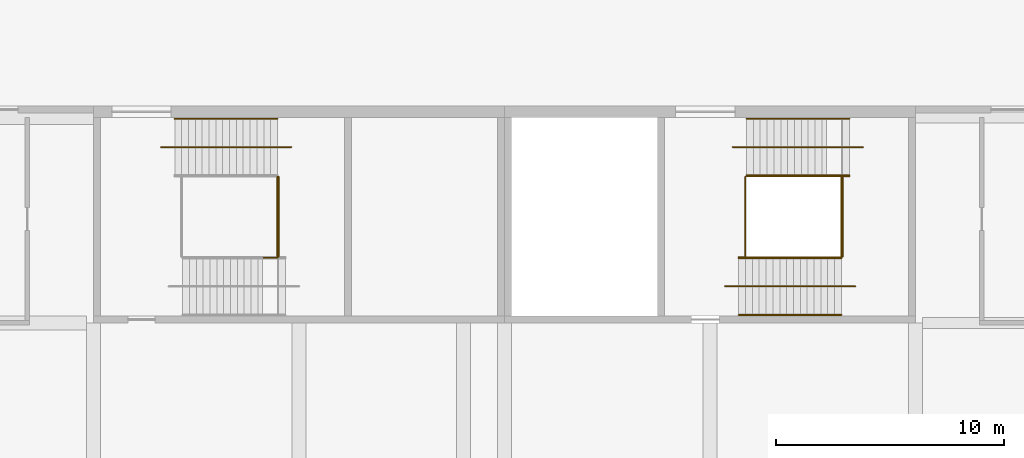
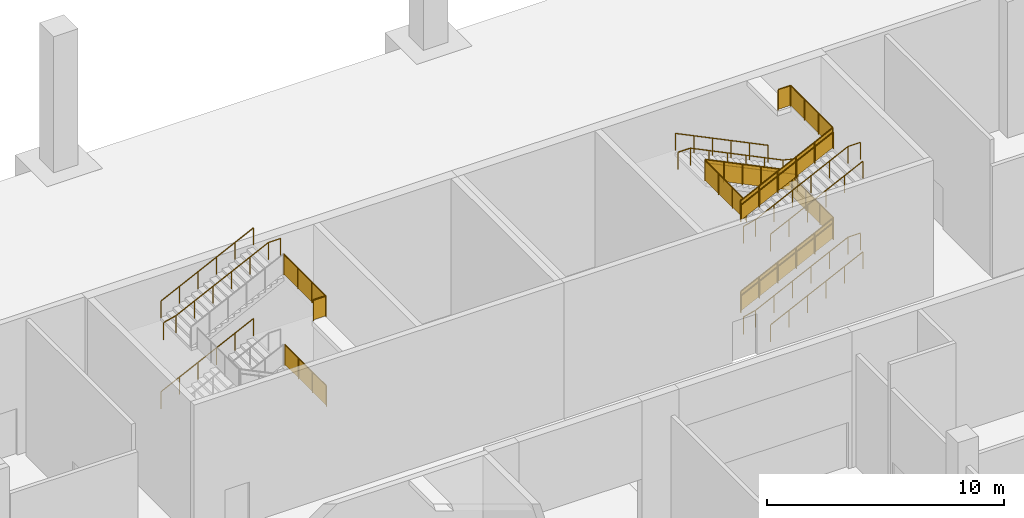
# One storey, part 87 of 92: 20 railings.
"""IFC4 building model written with IfcOpenShell, lengths in metres."""

from ifc_helpers import new_model, si_unit, direction, frame, origin, origin_2d, place, context, subcontext, project, spatial, polyline, circle, outline, extrude, material, type_object, element, save


model = new_model("IFC4")

# Units and contexts
model_context = context("Model", 3, precision=1e-05, world=origin(), true_north=direction((0.0, 1.0)))
body_context = subcontext(model_context, "Body", "Model", "MODEL_VIEW")
ifc_project = project(units=[si_unit("LENGTHUNIT", "METRE"), si_unit("AREAUNIT", "SQUARE_METRE"), si_unit("VOLUMEUNIT", "CUBIC_METRE"), si_unit("PLANEANGLEUNIT", "RADIAN"), si_unit("MASSUNIT", "GRAM", prefix="KILO")], contexts=[model_context])

# Site, building, storey
site_placement = place(None, origin())
site = spatial("IfcSite", under=ifc_project, at=site_placement, CompositionType="ELEMENT")
building_placement = place(site_placement, origin())
building = spatial("IfcBuilding", under=site, at=building_placement, Name="Silverbay Arena", CompositionType="ELEMENT")
storey_placement = place(building_placement, origin())
storey = spatial("IfcBuildingStorey", under=building, at=storey_placement, Name="L00", CompositionType="ELEMENT", Elevation=0.0)

# Railings
ifc_material_1 = material(Name="Stainless steel", Category="steel")
railing_type_1 = type_object("IfcRailingType", Name="Stair guard 1100", PredefinedType="GUARDRAIL", material=ifc_material_1)
railing_1_placement = place(storey_placement, frame((89.10693359375, 137.89990234375, 2.333251953125)))
element("IfcRailing", 1, at=railing_1_placement, inside=storey, type_object=railing_type_1, Name="Stair ST-N1 L00 to L01 landing 1 guard", PredefinedType="GUARDRAIL", context=body_context, shape_type="SweptSolid", body=[
    extrude(circle(Radius=0.02392578125, at=origin_2d()), frame((0.0, 0.0, 1.076171875), z_axis=(0.0, 1.0, 0.0), x_axis=(-1.0, 0.0, 0.0)), (0.0, 0.0, 1.0), 3.5),
    extrude(outline(polyline([(-0.008056640625, 0.050048828125), (1.174560546875, 0.050048828125), (1.174560546875, 1.052978515625), (-0.008056640625, 1.052978515625), (-0.008056640625, 0.050048828125)])), frame((-0.0029296875, 0.0, 0.0), z_axis=(1.0, 0.0, 0.0), x_axis=(0.0, 1.0, 0.0)), (0.0, 0.0, 1.0), 0.006103515625),
    extrude(outline(polyline([(-0.008056640625, 0.050048828125), (1.174560546875, 0.050048828125), (1.174560546875, 1.052978515625), (-0.008056640625, 1.052978515625), (-0.008056640625, 0.050048828125)])), frame((-0.0029296875, 1.166748046875, 0.0), z_axis=(1.0, 0.0, 0.0), x_axis=(0.0, 1.0, 0.0)), (0.0, 0.0, 1.0), 0.006103515625),
    extrude(outline(polyline([(-0.008056640625, 0.050048828125), (1.174560546875, 0.050048828125), (1.174560546875, 1.052978515625), (-0.008056640625, 1.052978515625), (-0.008056640625, 0.050048828125)])), frame((-0.0029296875, 2.333251953125, 0.0), z_axis=(1.0, 0.0, 0.0), x_axis=(0.0, 1.0, 0.0)), (0.0, 0.0, 1.0), 0.006103515625),
    extrude(circle(Radius=0.02099609375, at=origin_2d()), origin(), (0.0, 0.0, 1.0), 1.052001953125),
    extrude(circle(Radius=0.02099609375, at=origin_2d()), frame((0.0, 1.166748046875, 0.0)), (0.0, 0.0, 1.0), 1.052001953125),
    extrude(circle(Radius=0.02099609375, at=origin_2d()), frame((0.0, 2.333251953125, 0.0)), (0.0, 0.0, 1.0), 1.052001953125),
    extrude(circle(Radius=0.02099609375, at=origin_2d()), frame((0.0, 3.5, 0.0)), (0.0, 0.0, 1.0), 1.052001953125),
])
railing_2_placement = place(storey_placement, frame((88.449951171875, 137.85009765625, 7.0)))
element("IfcRailing", 2, at=railing_2_placement, inside=storey, type_object=railing_type_1, Name="Stair ST-N1 L00 to L01 landing 3 guard", PredefinedType="GUARDRAIL", context=body_context, shape_type="SweptSolid", body=[
    extrude(circle(Radius=0.02392578125, at=origin_2d()), frame((0.0, 0.0, 1.076171875), z_axis=(1.0, 0.0, 0.0), x_axis=(0.0, 1.0, 0.0)), (0.0, 0.0, 1.0), 0.60693359375),
    extrude(outline(polyline([(-0.008056640625, 0.050048828125), (0.614990234375, 0.050048828125), (0.614990234375, 1.052978515625), (-0.008056640625, 1.052978515625), (-0.008056640625, 0.050048828125)])), frame((0.0, 0.0029296875, 0.0), z_axis=(0.0, -1.0, 0.0), x_axis=(1.0, 0.0, 0.0)), (0.0, 0.0, 1.0), 0.006103515625),
    extrude(circle(Radius=0.02392578125, at=origin_2d()), frame((0.60693359375, 0.0, 1.076171875), z_axis=(0.0, 1.0, 0.0), x_axis=(-1.0, 0.0, 0.0)), (0.0, 0.0, 1.0), 3.5498046875),
    extrude(outline(polyline([(-0.008056640625, 0.050048828125), (1.191162109375, 0.050048828125), (1.191162109375, 1.052978515625), (-0.008056640625, 1.052978515625), (-0.008056640625, 0.050048828125)])), frame((0.60400390625, 0.0, 0.0), z_axis=(1.0, 0.0, 0.0), x_axis=(0.0, 1.0, 0.0)), (0.0, 0.0, 1.0), 0.006103515625),
    extrude(outline(polyline([(-0.008056640625, 0.050048828125), (1.191162109375, 0.050048828125), (1.191162109375, 1.052978515625), (-0.008056640625, 1.052978515625), (-0.008056640625, 0.050048828125)])), frame((0.60400390625, 1.183349609375, 0.0), z_axis=(1.0, 0.0, 0.0), x_axis=(0.0, 1.0, 0.0)), (0.0, 0.0, 1.0), 0.006103515625),
    extrude(outline(polyline([(-0.008056640625, 0.050048828125), (1.191162109375, 0.050048828125), (1.191162109375, 1.052978515625), (-0.008056640625, 1.052978515625), (-0.008056640625, 0.050048828125)])), frame((0.60400390625, 2.366455078125, 0.0), z_axis=(1.0, 0.0, 0.0), x_axis=(0.0, 1.0, 0.0)), (0.0, 0.0, 1.0), 0.006103515625),
    extrude(circle(Radius=0.02099609375, at=origin_2d()), origin(), (0.0, 0.0, 1.0), 1.052001953125),
    extrude(circle(Radius=0.02099609375, at=origin_2d()), frame((0.60693359375, 0.0, 0.0)), (0.0, 0.0, 1.0), 1.052001953125),
    extrude(circle(Radius=0.02099609375, at=origin_2d()), frame((0.60693359375, 1.183349609375, 0.0)), (0.0, 0.0, 1.0), 1.052001953125),
    extrude(circle(Radius=0.02099609375, at=origin_2d()), frame((0.60693359375, 2.366455078125, 0.0)), (0.0, 0.0, 1.0), 1.052001953125),
    extrude(circle(Radius=0.02099609375, at=origin_2d()), frame((0.60693359375, 3.5498046875, 0.0)), (0.0, 0.0, 1.0), 1.052001953125),
])
railing_3_placement = place(storey_placement, frame((109.2568359375, 137.875, 0.145751953125)))
element("IfcRailing", 3, at=railing_3_placement, inside=storey, type_object=railing_type_1, Name="Stair ST-N2 L00 to L01 flight 1 guard right", PredefinedType="GUARDRAIL", context=body_context, shape_type="SweptSolid", body=[
    extrude(circle(Radius=0.02392578125, at=origin_2d()), frame((0.0, 0.0, 1.076171875), z_axis=(0.899367854138, 0.0, 0.437192706873), x_axis=(0.0, 1.0, 0.0)), (0.0, 0.0, 1.0), 5.00341796875),
    extrude(outline(polyline([(-0.008056640625, 0.046142578125), (0.907958984375, 0.491455078125), (0.907958984375, 1.494384765625), (-0.008056640625, 1.049072265625), (-0.008056640625, 0.046142578125)])), frame((0.0, 0.0029296875, 0.0), z_axis=(0.0, -1.0, 0.0), x_axis=(1.0, 0.0, 0.0)), (0.0, 0.0, 1.0), 0.006103515625),
    extrude(outline(polyline([(-0.008056640625, 0.483642578125), (0.907958984375, 0.928955078125), (0.907958984375, 1.931884765625), (-0.008056640625, 1.486572265625), (-0.008056640625, 0.483642578125)])), frame((0.89990234375, 0.0029296875, 0.0), z_axis=(0.0, -1.0, 0.0), x_axis=(1.0, 0.0, 0.0)), (0.0, 0.0, 1.0), 0.006103515625),
    extrude(outline(polyline([(-0.008056640625, 0.921142578125), (0.907958984375, 1.366455078125), (0.907958984375, 2.369384765625), (-0.008056640625, 1.924072265625), (-0.008056640625, 0.921142578125)])), frame((1.800048828125, 0.0029296875, 0.0), z_axis=(0.0, -1.0, 0.0), x_axis=(1.0, 0.0, 0.0)), (0.0, 0.0, 1.0), 0.006103515625),
    extrude(outline(polyline([(-0.008056640625, 1.358642578125), (0.907958984375, 1.803955078125), (0.907958984375, 2.806884765625), (-0.008056640625, 2.361572265625), (-0.008056640625, 1.358642578125)])), frame((2.699951171875, 0.0029296875, 0.0), z_axis=(0.0, -1.0, 0.0), x_axis=(1.0, 0.0, 0.0)), (0.0, 0.0, 1.0), 0.006103515625),
    extrude(outline(polyline([(-0.008056640625, 1.796142578125), (0.907958984375, 2.241455078125), (0.907958984375, 3.244384765625), (-0.008056640625, 2.799072265625), (-0.008056640625, 1.796142578125)])), frame((3.60009765625, 0.0029296875, 0.0), z_axis=(0.0, -1.0, 0.0), x_axis=(1.0, 0.0, 0.0)), (0.0, 0.0, 1.0), 0.006103515625),
    extrude(circle(Radius=0.02099609375, at=origin_2d()), origin(), (0.0, 0.0, 1.0), 1.052001953125),
    extrude(circle(Radius=0.02099609375, at=origin_2d()), frame((0.89990234375, 0.0, 0.4375)), (0.0, 0.0, 1.0), 1.052001953125),
    extrude(circle(Radius=0.02099609375, at=origin_2d()), frame((1.800048828125, 0.0, 0.875)), (0.0, 0.0, 1.0), 1.052001953125),
    extrude(circle(Radius=0.02099609375, at=origin_2d()), frame((2.699951171875, 0.0, 1.3125)), (0.0, 0.0, 1.0), 1.052001953125),
    extrude(circle(Radius=0.02099609375, at=origin_2d()), frame((3.60009765625, 0.0, 1.75)), (0.0, 0.0, 1.0), 1.052001953125),
    extrude(circle(Radius=0.02099609375, at=origin_2d()), frame((4.5, 0.0, 2.1875)), (0.0, 0.0, 1.0), 1.052001953125),
])
railing_4_placement = place(storey_placement, frame((114.10009765625, 141.425048828125, 2.479248046875)))
element("IfcRailing", 4, at=railing_4_placement, inside=storey, type_object=railing_type_1, Name="Stair ST-N2 L00 to L01 flight 2 guard left", PredefinedType="GUARDRAIL", context=body_context, shape_type="SweptSolid", body=[
    extrude(circle(Radius=0.02392578125, at=origin_2d()), frame((0.0, 0.0, 1.076171875), z_axis=(-0.899367854138, 0.0, 0.437192706873), x_axis=(0.0, -1.0, 0.0)), (0.0, 0.0, 1.0), 5.00341796875),
    extrude(outline(polyline([(-0.008056640625, 0.046142578125), (0.907958984375, 0.491455078125), (0.907958984375, 1.494384765625), (-0.008056640625, 1.049072265625), (-0.008056640625, 0.046142578125)])), frame((0.0, -0.0029296875, 0.0), z_axis=(0.0, 1.0, 0.0), x_axis=(-1.0, 0.0, 0.0)), (0.0, 0.0, 1.0), 0.006103515625),
    extrude(outline(polyline([(-0.008056640625, 0.483642578125), (0.907958984375, 0.928955078125), (0.907958984375, 1.931884765625), (-0.008056640625, 1.486572265625), (-0.008056640625, 0.483642578125)])), frame((-0.89990234375, -0.0029296875, 0.0), z_axis=(0.0, 1.0, 0.0), x_axis=(-1.0, 0.0, 0.0)), (0.0, 0.0, 1.0), 0.006103515625),
    extrude(outline(polyline([(-0.008056640625, 0.921142578125), (0.907958984375, 1.366455078125), (0.907958984375, 2.369384765625), (-0.008056640625, 1.924072265625), (-0.008056640625, 0.921142578125)])), frame((-1.800048828125, -0.0029296875, 0.0), z_axis=(0.0, 1.0, 0.0), x_axis=(-1.0, 0.0, 0.0)), (0.0, 0.0, 1.0), 0.006103515625),
    extrude(outline(polyline([(-0.008056640625, 1.358642578125), (0.907958984375, 1.803955078125), (0.907958984375, 2.806884765625), (-0.008056640625, 2.361572265625), (-0.008056640625, 1.358642578125)])), frame((-2.699951171875, -0.0029296875, 0.0), z_axis=(0.0, 1.0, 0.0), x_axis=(-1.0, 0.0, 0.0)), (0.0, 0.0, 1.0), 0.006103515625),
    extrude(outline(polyline([(-0.008056640625, 1.796142578125), (0.907958984375, 2.241455078125), (0.907958984375, 3.244384765625), (-0.008056640625, 2.799072265625), (-0.008056640625, 1.796142578125)])), frame((-3.60009765625, -0.0029296875, 0.0), z_axis=(0.0, 1.0, 0.0), x_axis=(-1.0, 0.0, 0.0)), (0.0, 0.0, 1.0), 0.006103515625),
    extrude(circle(Radius=0.02099609375, at=origin_2d()), origin(), (0.0, 0.0, 1.0), 1.052001953125),
    extrude(circle(Radius=0.02099609375, at=origin_2d()), frame((-0.89990234375, 0.0, 0.4375)), (0.0, 0.0, 1.0), 1.052001953125),
    extrude(circle(Radius=0.02099609375, at=origin_2d()), frame((-1.800048828125, 0.0, 0.875)), (0.0, 0.0, 1.0), 1.052001953125),
    extrude(circle(Radius=0.02099609375, at=origin_2d()), frame((-2.699951171875, 0.0, 1.3125)), (0.0, 0.0, 1.0), 1.052001953125),
    extrude(circle(Radius=0.02099609375, at=origin_2d()), frame((-3.60009765625, 0.0, 1.75)), (0.0, 0.0, 1.0), 1.052001953125),
    extrude(circle(Radius=0.02099609375, at=origin_2d()), frame((-4.5, 0.0, 2.1875)), (0.0, 0.0, 1.0), 1.052001953125),
])
railing_5_placement = place(storey_placement, frame((109.2568359375, 137.875, 4.8125)))
element("IfcRailing", 5, at=railing_5_placement, inside=storey, type_object=railing_type_1, Name="Stair ST-N2 L00 to L01 flight 3 guard right", PredefinedType="GUARDRAIL", context=body_context, shape_type="SweptSolid", body=[
    extrude(circle(Radius=0.02392578125, at=origin_2d()), frame((0.0, 0.0, 1.076171875), z_axis=(0.899367854138, 0.0, 0.437192706873), x_axis=(0.0, 1.0, 0.0)), (0.0, 0.0, 1.0), 5.00341796875),
    extrude(outline(polyline([(-0.008056640625, 0.046142578125), (0.907958984375, 0.491455078125), (0.907958984375, 1.494384765625), (-0.008056640625, 1.049072265625), (-0.008056640625, 0.046142578125)])), frame((0.0, 0.0029296875, 0.0), z_axis=(0.0, -1.0, 0.0), x_axis=(1.0, 0.0, 0.0)), (0.0, 0.0, 1.0), 0.006103515625),
    extrude(outline(polyline([(-0.008056640625, 0.483642578125), (0.907958984375, 0.928955078125), (0.907958984375, 1.931884765625), (-0.008056640625, 1.486572265625), (-0.008056640625, 0.483642578125)])), frame((0.89990234375, 0.0029296875, 0.0), z_axis=(0.0, -1.0, 0.0), x_axis=(1.0, 0.0, 0.0)), (0.0, 0.0, 1.0), 0.006103515625),
    extrude(outline(polyline([(-0.008056640625, 0.921142578125), (0.907958984375, 1.366455078125), (0.907958984375, 2.369384765625), (-0.008056640625, 1.924072265625), (-0.008056640625, 0.921142578125)])), frame((1.800048828125, 0.0029296875, 0.0), z_axis=(0.0, -1.0, 0.0), x_axis=(1.0, 0.0, 0.0)), (0.0, 0.0, 1.0), 0.006103515625),
    extrude(outline(polyline([(-0.008056640625, 1.358642578125), (0.907958984375, 1.803955078125), (0.907958984375, 2.806884765625), (-0.008056640625, 2.361572265625), (-0.008056640625, 1.358642578125)])), frame((2.699951171875, 0.0029296875, 0.0), z_axis=(0.0, -1.0, 0.0), x_axis=(1.0, 0.0, 0.0)), (0.0, 0.0, 1.0), 0.006103515625),
    extrude(outline(polyline([(-0.008056640625, 1.796142578125), (0.907958984375, 2.241455078125), (0.907958984375, 3.244384765625), (-0.008056640625, 2.799072265625), (-0.008056640625, 1.796142578125)])), frame((3.60009765625, 0.0029296875, 0.0), z_axis=(0.0, -1.0, 0.0), x_axis=(1.0, 0.0, 0.0)), (0.0, 0.0, 1.0), 0.006103515625),
    extrude(circle(Radius=0.02099609375, at=origin_2d()), origin(), (0.0, 0.0, 1.0), 1.052001953125),
    extrude(circle(Radius=0.02099609375, at=origin_2d()), frame((0.89990234375, 0.0, 0.4375)), (0.0, 0.0, 1.0), 1.052001953125),
    extrude(circle(Radius=0.02099609375, at=origin_2d()), frame((1.800048828125, 0.0, 0.875)), (0.0, 0.0, 1.0), 1.052001953125),
    extrude(circle(Radius=0.02099609375, at=origin_2d()), frame((2.699951171875, 0.0, 1.3125)), (0.0, 0.0, 1.0), 1.052001953125),
    extrude(circle(Radius=0.02099609375, at=origin_2d()), frame((3.60009765625, 0.0, 1.75)), (0.0, 0.0, 1.0), 1.052001953125),
    extrude(circle(Radius=0.02099609375, at=origin_2d()), frame((4.5, 0.0, 2.1875)), (0.0, 0.0, 1.0), 1.052001953125),
])
for number, where, name in (
    (6, (113.806884765625, 137.89990234375, 2.333251953125), "Stair ST-N2 L00 to L01 landing 1 guard"),
    (7, (109.550048828125, 137.89990234375, 4.666748046875), "Stair ST-N2 L00 to L01 landing 2 guard"),
):
    element("IfcRailing", number, at=place(storey_placement, frame(where)), inside=storey, type_object=railing_type_1, Name=name, PredefinedType="GUARDRAIL", context=body_context, shape_type="SweptSolid", body=[
        extrude(circle(Radius=0.02392578125, at=origin_2d()), frame((0.0, 0.0, 1.076171875), z_axis=(0.0, 1.0, 0.0), x_axis=(-1.0, 0.0, 0.0)), (0.0, 0.0, 1.0), 3.5),
        extrude(outline(polyline([(-0.008056640625, 0.050048828125), (1.174560546875, 0.050048828125), (1.174560546875, 1.052978515625), (-0.008056640625, 1.052978515625), (-0.008056640625, 0.050048828125)])), frame((-0.0029296875, 0.0, 0.0), z_axis=(1.0, 0.0, 0.0), x_axis=(0.0, 1.0, 0.0)), (0.0, 0.0, 1.0), 0.006103515625),
        extrude(outline(polyline([(-0.008056640625, 0.050048828125), (1.174560546875, 0.050048828125), (1.174560546875, 1.052978515625), (-0.008056640625, 1.052978515625), (-0.008056640625, 0.050048828125)])), frame((-0.0029296875, 1.166748046875, 0.0), z_axis=(1.0, 0.0, 0.0), x_axis=(0.0, 1.0, 0.0)), (0.0, 0.0, 1.0), 0.006103515625),
        extrude(outline(polyline([(-0.008056640625, 0.050048828125), (1.174560546875, 0.050048828125), (1.174560546875, 1.052978515625), (-0.008056640625, 1.052978515625), (-0.008056640625, 0.050048828125)])), frame((-0.0029296875, 2.333251953125, 0.0), z_axis=(1.0, 0.0, 0.0), x_axis=(0.0, 1.0, 0.0)), (0.0, 0.0, 1.0), 0.006103515625),
        extrude(circle(Radius=0.02099609375, at=origin_2d()), origin(), (0.0, 0.0, 1.0), 1.052001953125),
        extrude(circle(Radius=0.02099609375, at=origin_2d()), frame((0.0, 1.166748046875, 0.0)), (0.0, 0.0, 1.0), 1.052001953125),
        extrude(circle(Radius=0.02099609375, at=origin_2d()), frame((0.0, 2.333251953125, 0.0)), (0.0, 0.0, 1.0), 1.052001953125),
        extrude(circle(Radius=0.02099609375, at=origin_2d()), frame((0.0, 3.5, 0.0)), (0.0, 0.0, 1.0), 1.052001953125),
    ])
railing_6_placement = place(storey_placement, frame((113.14990234375, 141.449951171875, 7.0)))
element("IfcRailing", 8, at=railing_6_placement, inside=storey, type_object=railing_type_1, Name="Stair ST-N2 L00 to L01 landing 3 guard", PredefinedType="GUARDRAIL", context=body_context, shape_type="SweptSolid", body=[
    extrude(circle(Radius=0.02392578125, at=origin_2d()), frame((0.0, 0.0, 1.076171875), z_axis=(1.0, 0.0, 0.0), x_axis=(0.0, 1.0, 0.0)), (0.0, 0.0, 1.0), 0.60693359375),
    extrude(outline(polyline([(-0.008056640625, 0.050048828125), (0.614990234375, 0.050048828125), (0.614990234375, 1.052978515625), (-0.008056640625, 1.052978515625), (-0.008056640625, 0.050048828125)])), frame((0.0, 0.0029296875, 0.0), z_axis=(0.0, -1.0, 0.0), x_axis=(1.0, 0.0, 0.0)), (0.0, 0.0, 1.0), 0.006103515625),
    extrude(circle(Radius=0.02392578125, at=origin_2d()), frame((0.60693359375, 0.0, 1.076171875), z_axis=(0.0, -1.0, 0.0), x_axis=(1.0, 0.0, 0.0)), (0.0, 0.0, 1.0), 3.550048828125),
    extrude(outline(polyline([(-0.008056640625, 0.050048828125), (1.19140625, 0.050048828125), (1.19140625, 1.052978515625), (-0.008056640625, 1.052978515625), (-0.008056640625, 0.050048828125)])), frame((0.60986328125, 0.0, 0.0), z_axis=(-1.0, 0.0, 0.0), x_axis=(0.0, -1.0, 0.0)), (0.0, 0.0, 1.0), 0.006103515625),
    extrude(outline(polyline([(-0.008056640625, 0.050048828125), (1.19140625, 0.050048828125), (1.19140625, 1.052978515625), (-0.008056640625, 1.052978515625), (-0.008056640625, 0.050048828125)])), frame((0.60986328125, -1.183349609375, 0.0), z_axis=(-1.0, 0.0, 0.0), x_axis=(0.0, -1.0, 0.0)), (0.0, 0.0, 1.0), 0.006103515625),
    extrude(outline(polyline([(-0.008056640625, 0.050048828125), (1.19140625, 0.050048828125), (1.19140625, 1.052978515625), (-0.008056640625, 1.052978515625), (-0.008056640625, 0.050048828125)])), frame((0.60986328125, -2.36669921875, 0.0), z_axis=(-1.0, 0.0, 0.0), x_axis=(0.0, -1.0, 0.0)), (0.0, 0.0, 1.0), 0.006103515625),
    extrude(circle(Radius=0.02099609375, at=origin_2d()), origin(), (0.0, 0.0, 1.0), 1.052001953125),
    extrude(circle(Radius=0.02099609375, at=origin_2d()), frame((0.60693359375, 0.0, 0.0)), (0.0, 0.0, 1.0), 1.052001953125),
    extrude(circle(Radius=0.02099609375, at=origin_2d()), frame((0.60693359375, -1.183349609375, 0.0)), (0.0, 0.0, 1.0), 1.052001953125),
    extrude(circle(Radius=0.02099609375, at=origin_2d()), frame((0.60693359375, -2.36669921875, 0.0)), (0.0, 0.0, 1.0), 1.052001953125),
    extrude(circle(Radius=0.02099609375, at=origin_2d()), frame((0.60693359375, -3.550048828125, 0.0)), (0.0, 0.0, 1.0), 1.052001953125),
])
ifc_material_2 = material(Name="Stainless steel", Category="steel")
railing_type_2 = type_object("IfcRailingType", Name="Stair handrail 900", PredefinedType="HANDRAIL", material=ifc_material_2)
for number, where, name in (
    (9, (84.556884765625, 143.949951171875, 0.145751953125), "Stair ST-N1 L00 to L01 flight 1 handrail right"),
    (10, (84.556884765625, 143.949951171875, 4.8125), "Stair ST-N1 L00 to L01 flight 3 handrail right"),
):
    element("IfcRailing", number, at=place(storey_placement, frame(where)), inside=storey, type_object=railing_type_2, Name=name, PredefinedType="HANDRAIL", context=body_context, shape_type="SweptSolid", body=[
        extrude(circle(Radius=0.02392578125, at=origin_2d()), frame((0.0, 0.0, 0.8759765625), z_axis=(0.899367854138, 0.0, 0.437192706873), x_axis=(0.0, 1.0, 0.0)), (0.0, 0.0, 1.0), 5.00341796875),
        extrude(circle(Radius=0.02099609375, at=origin_2d()), origin(), (0.0, 0.0, 1.0), 0.851806640625),
        extrude(circle(Radius=0.02099609375, at=origin_2d()), frame((0.89990234375, 0.0, 0.4375)), (0.0, 0.0, 1.0), 0.851806640625),
        extrude(circle(Radius=0.02099609375, at=origin_2d()), frame((1.800048828125, 0.0, 0.875)), (0.0, 0.0, 1.0), 0.851806640625),
        extrude(circle(Radius=0.02099609375, at=origin_2d()), frame((2.699951171875, 0.0, 1.3125)), (0.0, 0.0, 1.0), 0.851806640625),
        extrude(circle(Radius=0.02099609375, at=origin_2d()), frame((3.60009765625, 0.0, 1.75)), (0.0, 0.0, 1.0), 0.851806640625),
        extrude(circle(Radius=0.02099609375, at=origin_2d()), frame((4.5, 0.0, 2.1875)), (0.0, 0.0, 1.0), 0.851806640625),
    ])
railing_7_placement = place(storey_placement, frame((83.956787109375, 142.699951171875, 4.666748046875)))
element("IfcRailing", 11, at=railing_7_placement, inside=storey, type_object=railing_type_2, Name="Stair ST-N1 L00 to L01 flight 3 central handrail", PredefinedType="HANDRAIL", context=body_context, shape_type="SweptSolid", body=[
    extrude(circle(Radius=0.02392578125, at=origin_2d()), frame((0.0, 0.0, 0.8759765625), z_axis=(0.971748522905, 0.0, 0.236018660771), x_axis=(0.0, 1.0, 0.0)), (0.0, 0.0, 1.0), 0.617431640625),
    extrude(circle(Radius=0.02392578125, at=origin_2d()), frame((0.60009765625, 0.0, 1.021484375), z_axis=(0.899367854138, 0.0, 0.437192706873), x_axis=(0.0, 1.0, 0.0)), (0.0, 0.0, 1.0), 5.00341796875),
    extrude(circle(Radius=0.02392578125, at=origin_2d()), frame((5.10009765625, 0.0, 3.208984375), z_axis=(1.0, 0.0, 0.0), x_axis=(0.0, 1.0, 0.0)), (0.0, 0.0, 1.0), 0.60009765625),
    extrude(circle(Radius=0.02099609375, at=origin_2d()), origin(), (0.0, 0.0, 1.0), 0.851806640625),
    extrude(circle(Radius=0.02099609375, at=origin_2d()), frame((0.60009765625, 0.0, 0.145751953125)), (0.0, 0.0, 1.0), 0.851806640625),
    extrude(circle(Radius=0.02099609375, at=origin_2d()), frame((1.5, 0.0, 0.583251953125)), (0.0, 0.0, 1.0), 0.851806640625),
    extrude(circle(Radius=0.02099609375, at=origin_2d()), frame((2.400146484375, 0.0, 1.020751953125)), (0.0, 0.0, 1.0), 0.851806640625),
    extrude(circle(Radius=0.02099609375, at=origin_2d()), frame((3.300048828125, 0.0, 1.458251953125)), (0.0, 0.0, 1.0), 0.851806640625),
    extrude(circle(Radius=0.02099609375, at=origin_2d()), frame((4.2001953125, 0.0, 1.895751953125)), (0.0, 0.0, 1.0), 0.851806640625),
    extrude(circle(Radius=0.02099609375, at=origin_2d()), frame((5.10009765625, 0.0, 2.333251953125)), (0.0, 0.0, 1.0), 0.851806640625),
    extrude(circle(Radius=0.02099609375, at=origin_2d()), frame((5.7001953125, 0.0, 2.333251953125)), (0.0, 0.0, 1.0), 0.851806640625),
])
for number, where, name in (
    (12, (109.2568359375, 135.35009765625, 0.145751953125), "Stair ST-N2 L00 to L01 flight 1 handrail left"),
    (13, (109.2568359375, 137.8359375, 0.145751953125), "Stair ST-N2 L00 to L01 flight 1 handrail right"),
):
    element("IfcRailing", number, at=place(storey_placement, frame(where)), inside=storey, type_object=railing_type_2, Name=name, PredefinedType="HANDRAIL", context=body_context, shape_type="SweptSolid", body=[
        extrude(circle(Radius=0.02392578125, at=origin_2d()), frame((0.0, 0.0, 0.8759765625), z_axis=(0.899367854138, 0.0, 0.437192706873), x_axis=(0.0, 1.0, 0.0)), (0.0, 0.0, 1.0), 5.00341796875),
        extrude(circle(Radius=0.02099609375, at=origin_2d()), origin(), (0.0, 0.0, 1.0), 0.851806640625),
        extrude(circle(Radius=0.02099609375, at=origin_2d()), frame((0.89990234375, 0.0, 0.4375)), (0.0, 0.0, 1.0), 0.851806640625),
        extrude(circle(Radius=0.02099609375, at=origin_2d()), frame((1.800048828125, 0.0, 0.875)), (0.0, 0.0, 1.0), 0.851806640625),
        extrude(circle(Radius=0.02099609375, at=origin_2d()), frame((2.699951171875, 0.0, 1.3125)), (0.0, 0.0, 1.0), 0.851806640625),
        extrude(circle(Radius=0.02099609375, at=origin_2d()), frame((3.60009765625, 0.0, 1.75)), (0.0, 0.0, 1.0), 0.851806640625),
        extrude(circle(Radius=0.02099609375, at=origin_2d()), frame((4.5, 0.0, 2.1875)), (0.0, 0.0, 1.0), 0.851806640625),
    ])
railing_8_placement = place(storey_placement, frame((108.656982421875, 136.60009765625, 0.0)))
element("IfcRailing", 14, at=railing_8_placement, inside=storey, type_object=railing_type_2, Name="Stair ST-N2 L00 to L01 flight 1 central handrail", PredefinedType="HANDRAIL", context=body_context, shape_type="SweptSolid", body=[
    extrude(circle(Radius=0.02392578125, at=origin_2d()), frame((0.0, 0.0, 0.8759765625), z_axis=(0.971726487806, 0.0, 0.23610936639), x_axis=(0.0, 1.0, 0.0)), (0.0, 0.0, 1.0), 0.6171875),
    extrude(circle(Radius=0.02392578125, at=origin_2d()), frame((0.599853515625, 0.0, 1.021484375), z_axis=(0.899367854138, 0.0, 0.437192706873), x_axis=(0.0, 1.0, 0.0)), (0.0, 0.0, 1.0), 5.00341796875),
    extrude(circle(Radius=0.02392578125, at=origin_2d()), frame((5.099853515625, 0.0, 3.208984375), z_axis=(1.0, 0.0, 0.0), x_axis=(0.0, 1.0, 0.0)), (0.0, 0.0, 1.0), 0.60009765625),
    extrude(circle(Radius=0.02099609375, at=origin_2d()), origin(), (0.0, 0.0, 1.0), 0.851806640625),
    extrude(circle(Radius=0.02099609375, at=origin_2d()), frame((0.599853515625, 0.0, 0.145751953125)), (0.0, 0.0, 1.0), 0.851806640625),
    extrude(circle(Radius=0.02099609375, at=origin_2d()), frame((1.499755859375, 0.0, 0.583251953125)), (0.0, 0.0, 1.0), 0.851806640625),
    extrude(circle(Radius=0.02099609375, at=origin_2d()), frame((2.39990234375, 0.0, 1.020751953125)), (0.0, 0.0, 1.0), 0.851806640625),
    extrude(circle(Radius=0.02099609375, at=origin_2d()), frame((3.2998046875, 0.0, 1.458251953125)), (0.0, 0.0, 1.0), 0.851806640625),
    extrude(circle(Radius=0.02099609375, at=origin_2d()), frame((4.199951171875, 0.0, 1.895751953125)), (0.0, 0.0, 1.0), 0.851806640625),
    extrude(circle(Radius=0.02099609375, at=origin_2d()), frame((5.099853515625, 0.0, 2.333251953125)), (0.0, 0.0, 1.0), 0.851806640625),
    extrude(circle(Radius=0.02099609375, at=origin_2d()), frame((5.699951171875, 0.0, 2.333251953125)), (0.0, 0.0, 1.0), 0.851806640625),
])
for number, where, name in (
    (15, (114.10009765625, 141.464111328125, 2.479248046875), "Stair ST-N2 L00 to L01 flight 2 handrail left"),
    (16, (114.10009765625, 143.949951171875, 2.479248046875), "Stair ST-N2 L00 to L01 flight 2 handrail right"),
):
    element("IfcRailing", number, at=place(storey_placement, frame(where)), inside=storey, type_object=railing_type_2, Name=name, PredefinedType="HANDRAIL", context=body_context, shape_type="SweptSolid", body=[
        extrude(circle(Radius=0.02392578125, at=origin_2d()), frame((0.0, 0.0, 0.8759765625), z_axis=(-0.899367854138, 0.0, 0.437192706873), x_axis=(0.0, -1.0, 0.0)), (0.0, 0.0, 1.0), 5.00341796875),
        extrude(circle(Radius=0.02099609375, at=origin_2d()), origin(), (0.0, 0.0, 1.0), 0.851806640625),
        extrude(circle(Radius=0.02099609375, at=origin_2d()), frame((-0.89990234375, 0.0, 0.4375)), (0.0, 0.0, 1.0), 0.851806640625),
        extrude(circle(Radius=0.02099609375, at=origin_2d()), frame((-1.800048828125, 0.0, 0.875)), (0.0, 0.0, 1.0), 0.851806640625),
        extrude(circle(Radius=0.02099609375, at=origin_2d()), frame((-2.699951171875, 0.0, 1.3125)), (0.0, 0.0, 1.0), 0.851806640625),
        extrude(circle(Radius=0.02099609375, at=origin_2d()), frame((-3.60009765625, 0.0, 1.75)), (0.0, 0.0, 1.0), 0.851806640625),
        extrude(circle(Radius=0.02099609375, at=origin_2d()), frame((-4.5, 0.0, 2.1875)), (0.0, 0.0, 1.0), 0.851806640625),
    ])
railing_9_placement = place(storey_placement, frame((114.699951171875, 142.699951171875, 2.333251953125)))
element("IfcRailing", 17, at=railing_9_placement, inside=storey, type_object=railing_type_2, Name="Stair ST-N2 L00 to L01 flight 2 central handrail", PredefinedType="HANDRAIL", context=body_context, shape_type="SweptSolid", body=[
    extrude(circle(Radius=0.02392578125, at=origin_2d()), frame((0.0, 0.0, 0.8759765625), z_axis=(-0.971635685089, 0.0, 0.236482759334), x_axis=(0.0, -1.0, 0.0)), (0.0, 0.0, 1.0), 0.617431640625),
    extrude(circle(Radius=0.02392578125, at=origin_2d()), frame((-0.599853515625, 0.0, 1.02197265625), z_axis=(-0.899367854138, 0.0, 0.437192706873), x_axis=(0.0, -1.0, 0.0)), (0.0, 0.0, 1.0), 5.00341796875),
    extrude(circle(Radius=0.02392578125, at=origin_2d()), frame((-5.099853515625, 0.0, 3.20947265625), z_axis=(-1.0, 0.0, 0.0), x_axis=(0.0, -1.0, 0.0)), (0.0, 0.0, 1.0), 0.60009765625),
    extrude(circle(Radius=0.02099609375, at=origin_2d()), origin(), (0.0, 0.0, 1.0), 0.851806640625),
    extrude(circle(Radius=0.02099609375, at=origin_2d()), frame((-0.599853515625, 0.0, 0.14599609375)), (0.0, 0.0, 1.0), 0.851806640625),
    extrude(circle(Radius=0.02099609375, at=origin_2d()), frame((-1.499755859375, 0.0, 0.58349609375)), (0.0, 0.0, 1.0), 0.851806640625),
    extrude(circle(Radius=0.02099609375, at=origin_2d()), frame((-2.39990234375, 0.0, 1.02099609375)), (0.0, 0.0, 1.0), 0.851806640625),
    extrude(circle(Radius=0.02099609375, at=origin_2d()), frame((-3.2998046875, 0.0, 1.45849609375)), (0.0, 0.0, 1.0), 0.851806640625),
    extrude(circle(Radius=0.02099609375, at=origin_2d()), frame((-4.199951171875, 0.0, 1.89599609375)), (0.0, 0.0, 1.0), 0.851806640625),
    extrude(circle(Radius=0.02099609375, at=origin_2d()), frame((-5.099853515625, 0.0, 2.33349609375)), (0.0, 0.0, 1.0), 0.851806640625),
    extrude(circle(Radius=0.02099609375, at=origin_2d()), frame((-5.699951171875, 0.0, 2.33349609375)), (0.0, 0.0, 1.0), 0.851806640625),
])
for number, where, name in (
    (18, (109.2568359375, 135.35009765625, 4.8125), "Stair ST-N2 L00 to L01 flight 3 handrail left"),
    (19, (109.2568359375, 137.8359375, 4.8125), "Stair ST-N2 L00 to L01 flight 3 handrail right"),
):
    element("IfcRailing", number, at=place(storey_placement, frame(where)), inside=storey, type_object=railing_type_2, Name=name, PredefinedType="HANDRAIL", context=body_context, shape_type="SweptSolid", body=[
        extrude(circle(Radius=0.02392578125, at=origin_2d()), frame((0.0, 0.0, 0.8759765625), z_axis=(0.899367854138, 0.0, 0.437192706873), x_axis=(0.0, 1.0, 0.0)), (0.0, 0.0, 1.0), 5.00341796875),
        extrude(circle(Radius=0.02099609375, at=origin_2d()), origin(), (0.0, 0.0, 1.0), 0.851806640625),
        extrude(circle(Radius=0.02099609375, at=origin_2d()), frame((0.89990234375, 0.0, 0.4375)), (0.0, 0.0, 1.0), 0.851806640625),
        extrude(circle(Radius=0.02099609375, at=origin_2d()), frame((1.800048828125, 0.0, 0.875)), (0.0, 0.0, 1.0), 0.851806640625),
        extrude(circle(Radius=0.02099609375, at=origin_2d()), frame((2.699951171875, 0.0, 1.3125)), (0.0, 0.0, 1.0), 0.851806640625),
        extrude(circle(Radius=0.02099609375, at=origin_2d()), frame((3.60009765625, 0.0, 1.75)), (0.0, 0.0, 1.0), 0.851806640625),
        extrude(circle(Radius=0.02099609375, at=origin_2d()), frame((4.5, 0.0, 2.1875)), (0.0, 0.0, 1.0), 0.851806640625),
    ])
railing_10_placement = place(storey_placement, frame((108.656982421875, 136.60009765625, 4.666748046875)))
element("IfcRailing", 20, at=railing_10_placement, inside=storey, type_object=railing_type_2, Name="Stair ST-N2 L00 to L01 flight 3 central handrail", PredefinedType="HANDRAIL", context=body_context, shape_type="SweptSolid", body=[
    extrude(circle(Radius=0.02392578125, at=origin_2d()), frame((0.0, 0.0, 0.8759765625), z_axis=(0.971726487806, 0.0, 0.23610936639), x_axis=(0.0, 1.0, 0.0)), (0.0, 0.0, 1.0), 0.6171875),
    extrude(circle(Radius=0.02392578125, at=origin_2d()), frame((0.599853515625, 0.0, 1.021484375), z_axis=(0.899367854138, 0.0, 0.437192706873), x_axis=(0.0, 1.0, 0.0)), (0.0, 0.0, 1.0), 5.00341796875),
    extrude(circle(Radius=0.02392578125, at=origin_2d()), frame((5.099853515625, 0.0, 3.208984375), z_axis=(1.0, 0.0, 0.0), x_axis=(0.0, 1.0, 0.0)), (0.0, 0.0, 1.0), 0.60009765625),
    extrude(circle(Radius=0.02099609375, at=origin_2d()), origin(), (0.0, 0.0, 1.0), 0.851806640625),
    extrude(circle(Radius=0.02099609375, at=origin_2d()), frame((0.599853515625, 0.0, 0.145751953125)), (0.0, 0.0, 1.0), 0.851806640625),
    extrude(circle(Radius=0.02099609375, at=origin_2d()), frame((1.499755859375, 0.0, 0.583251953125)), (0.0, 0.0, 1.0), 0.851806640625),
    extrude(circle(Radius=0.02099609375, at=origin_2d()), frame((2.39990234375, 0.0, 1.020751953125)), (0.0, 0.0, 1.0), 0.851806640625),
    extrude(circle(Radius=0.02099609375, at=origin_2d()), frame((3.2998046875, 0.0, 1.458251953125)), (0.0, 0.0, 1.0), 0.851806640625),
    extrude(circle(Radius=0.02099609375, at=origin_2d()), frame((4.199951171875, 0.0, 1.895751953125)), (0.0, 0.0, 1.0), 0.851806640625),
    extrude(circle(Radius=0.02099609375, at=origin_2d()), frame((5.099853515625, 0.0, 2.333251953125)), (0.0, 0.0, 1.0), 0.851806640625),
    extrude(circle(Radius=0.02099609375, at=origin_2d()), frame((5.699951171875, 0.0, 2.333251953125)), (0.0, 0.0, 1.0), 0.851806640625),
])

save(model, "model.ifc")
